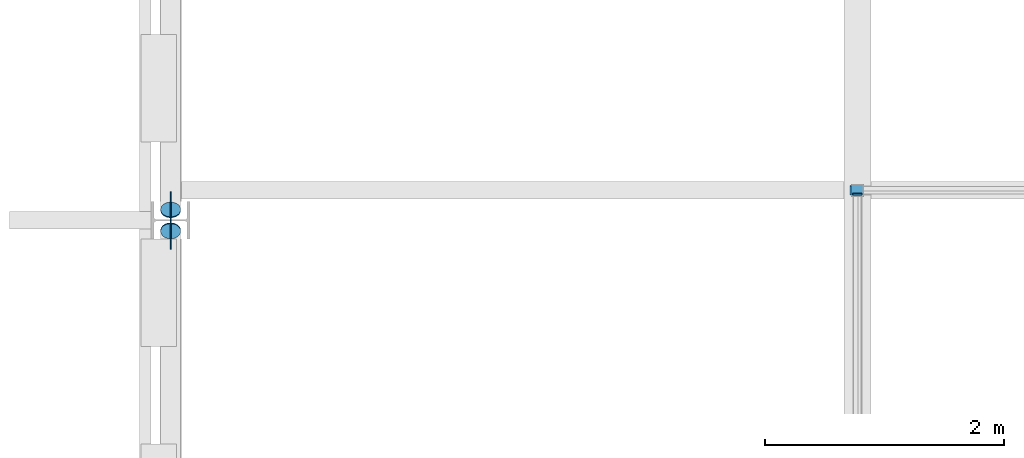
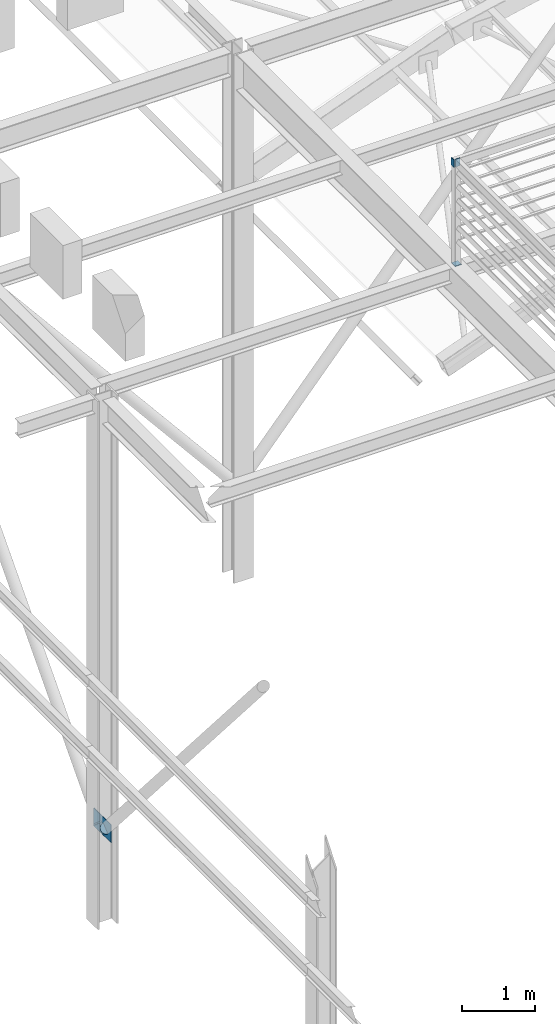
# One storey, part 45 of 57: 7 discrete accessories.
"""IFC4 building model written with IfcOpenShell, lengths in metres."""

from ifc_helpers import new_model, si_unit, direction, frame, origin, origin_2d, place, context, subcontext, project, spatial, rectangle, circle, extrude, material, material_profile, profile_set, type_object, element, save


model = new_model("IFC4")

# Units and contexts
model_context = context("Model", 3, precision=1e-05, world=origin(), true_north=direction((0.0, 1.0)))
body_context = subcontext(model_context, "Body", "Model", "MODEL_VIEW")
ifc_project = project(units=[si_unit("LENGTHUNIT", "METRE"), si_unit("AREAUNIT", "SQUARE_METRE"), si_unit("VOLUMEUNIT", "CUBIC_METRE"), si_unit("PLANEANGLEUNIT", "RADIAN"), si_unit("MASSUNIT", "GRAM", prefix="KILO")], contexts=[model_context])

# Site, building, storey
site_placement = place(None, origin())
site = spatial("IfcSite", under=ifc_project, at=site_placement, CompositionType="ELEMENT")
building_placement = place(site_placement, origin())
building = spatial("IfcBuilding", under=site, at=building_placement, Name="Saffron Lane Theatres", CompositionType="ELEMENT")
storey_placement = place(building_placement, frame((0.0, 0.0, 28.0)))
storey = spatial("IfcBuildingStorey", under=building, at=storey_placement, Name="Upper Roof", CompositionType="ELEMENT", Elevation=28.0)

# Discrete accessories
ifc_material_1 = material(Name="Steel Grade 350", Category="steel")
ifc_material_profile_1 = material_profile(ifc_material_1, rectangle(XDim=0.300048828125, YDim=0.300048828125, at=origin_2d()))
ifc_profile_set_1 = profile_set([ifc_material_profile_1], Name="Steel Grade 350")
discrete_accessory_type_1 = type_object("IfcDiscreteAccessoryType", Name="ST-GUSSET CONNECTION PLATE", PredefinedType="BRACKET", material=ifc_profile_set_1)
for number, where, z_axis, x_axis, name in (
    (1, (18.2451171875, 47.908447265625, 1.60595703125), (1.0, 0.0, 0.0), (0.0, 1.0, 0.0), "GB147"),
    (2, (18.2451171875, 48.09033203125, 1.600341796875), (1.0, 0.0, 0.0), (0.0, 1.0, 0.0), "GB151"),
):
    element("IfcDiscreteAccessory", number, at=place(storey_placement, frame(where, z_axis=z_axis, x_axis=x_axis)), inside=storey, type_object=discrete_accessory_type_1, Name=name, PredefinedType="BRACKET", context=body_context, shape_type="SweptSolid", body=[
        extrude(rectangle(XDim=0.300048828125, YDim=0.300048828125, at=origin_2d()), origin(), (0.0, 0.0, 1.0), 0.009765625),
    ])
ifc_material_2 = material(Name="Steel Grade 350", Category="steel")
ifc_material_profile_2 = material_profile(ifc_material_2, rectangle(XDim=0.10009765625, YDim=0.10009765625, at=origin_2d()))
ifc_profile_set_2 = profile_set([ifc_material_profile_2], Name="Steel Grade 350")
discrete_accessory_type_2 = type_object("IfcDiscreteAccessoryType", Name="ST-STEEL END CAP 100x100x6 SHS", PredefinedType="ANCHORPLATE", material=ifc_profile_set_2)
discrete_accessory_1_placement = place(storey_placement, frame((24.0, 48.25, 8.837890625), z_axis=(0.0, 0.0, 1.0), x_axis=(1.0, 0.0, 0.0)))
element("IfcDiscreteAccessory", 3, at=discrete_accessory_1_placement, inside=storey, type_object=discrete_accessory_type_2, Name="EC117", PredefinedType="ANCHORPLATE", context=body_context, shape_type="SweptSolid", body=[
    extrude(rectangle(XDim=0.10009765625, YDim=0.10009765625, at=origin_2d()), origin(), (0.0, 0.0, 1.0), 0.01220703125),
])
ifc_material_3 = material(Name="Steel Grade 350", Category="steel")
ifc_material_profile_3 = material_profile(ifc_material_3, rectangle(XDim=0.074951171875, YDim=0.125, at=origin_2d()))
ifc_profile_set_3 = profile_set([ifc_material_profile_3], Name="Steel Grade 350")
discrete_accessory_type_3 = type_object("IfcDiscreteAccessoryType", Name="ST-STEEL END CAP 125x75x5 RHS", PredefinedType="ANCHORPLATE", material=ifc_profile_set_3)
discrete_accessory_2_placement = place(storey_placement, frame((23.93798828125, 48.25, 10.5625), z_axis=(1.0, 0.0, 0.0), x_axis=(0.0, 1.0, 0.0)))
element("IfcDiscreteAccessory", 4, at=discrete_accessory_2_placement, inside=storey, type_object=discrete_accessory_type_3, Name="EC131", PredefinedType="ANCHORPLATE", context=body_context, shape_type="SweptSolid", body=[
    extrude(rectangle(XDim=0.074951171875, YDim=0.125, at=origin_2d()), origin(), (0.0, 0.0, 1.0), 0.011962890625),
])
discrete_accessory_3_placement = place(storey_placement, frame((24.0, 48.21240234375, 10.5625), z_axis=(0.0, 1.0, 0.0), x_axis=(-1.0, 0.0, 0.0)))
element("IfcDiscreteAccessory", 5, at=discrete_accessory_3_placement, inside=storey, type_object=discrete_accessory_type_3, Name="EC134", PredefinedType="ANCHORPLATE", context=body_context, shape_type="SweptSolid", body=[
    extrude(rectangle(XDim=0.074951171875, YDim=0.125, at=origin_2d()), origin(), (0.0, 0.0, 1.0), 0.01220703125),
])
ifc_material_4 = material(Name="Steel Grade 350", Category="steel")
ifc_material_profile_4 = material_profile(ifc_material_4, circle(Radius=0.084228515625, at=origin_2d()))
ifc_profile_set_4 = profile_set([ifc_material_profile_4], Name="Steel Grade 350")
discrete_accessory_type_4 = type_object("IfcDiscreteAccessoryType", Name="ST-STEEL END CAP 168.3x6.4 CHS", PredefinedType="ANCHORPLATE", material=ifc_profile_set_4)
for number, where, z_axis, x_axis, name in (
    (6, (18.25, 47.916259765625, 1.596923828125), (0.0, -0.654151932932, 0.756363172452), (1.0, 0.0, 0.0), "EC93"),
    (7, (18.25, 48.082275390625, 1.591552734375), (0.0, 0.675724628517, 0.737154140201), (-1.0, 0.0, 0.0), "EC97"),
):
    element("IfcDiscreteAccessory", number, at=place(storey_placement, frame(where, z_axis=z_axis, x_axis=x_axis)), inside=storey, type_object=discrete_accessory_type_4, Name=name, PredefinedType="ANCHORPLATE", context=body_context, shape_type="SweptSolid", body=[
        extrude(circle(Radius=0.084228515625, at=origin_2d()), origin(), (0.0, 0.0, 1.0), 0.011962890625),
    ])

save(model, "model.ifc")
